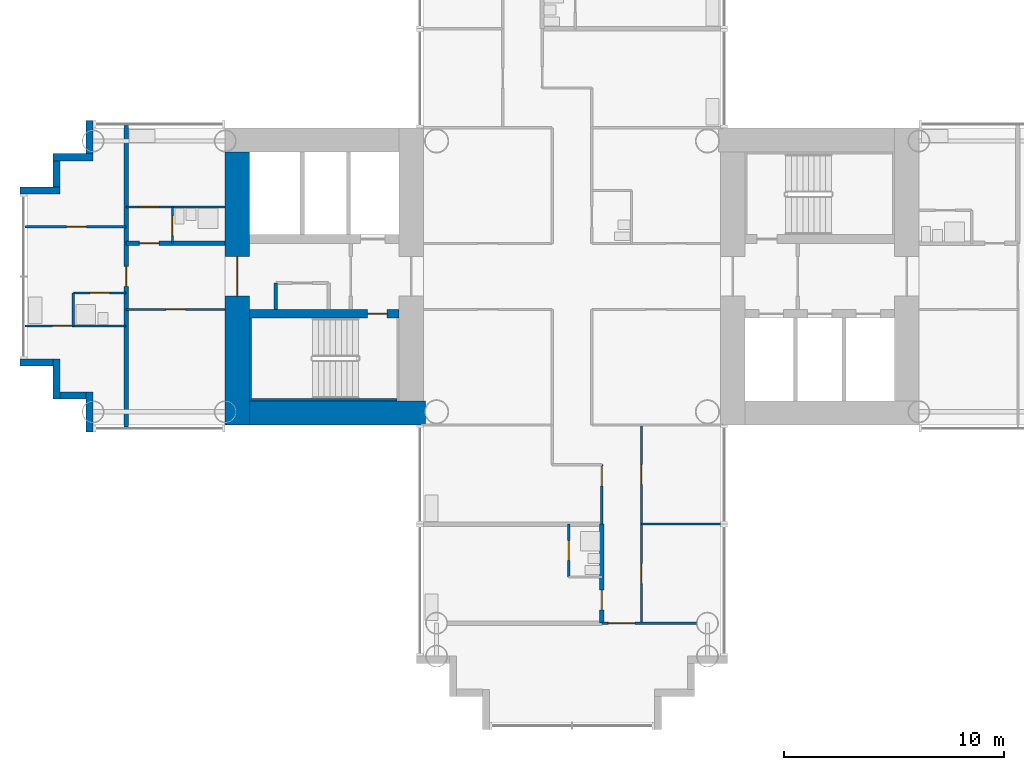
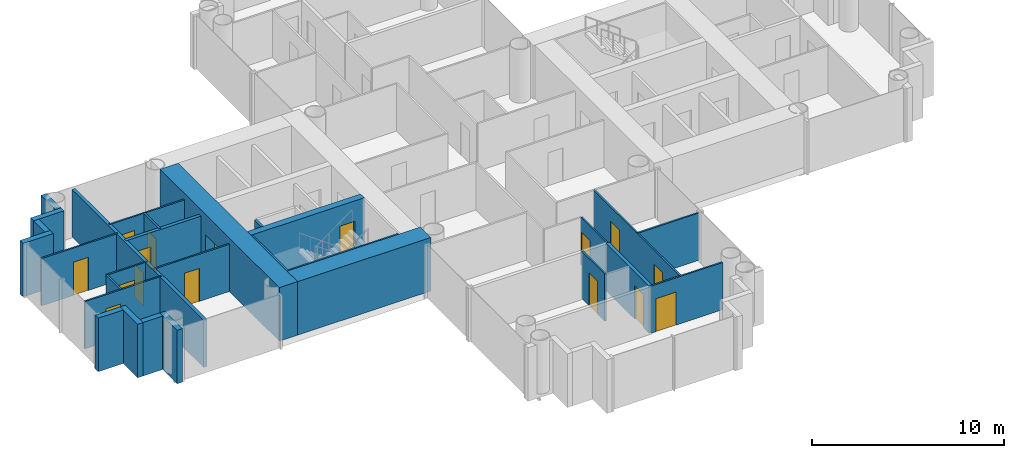
# One storey, part 9 of 21: 29 walls, 16 doors, 16 openings.
"""IFC4 building model written with IfcOpenShell, lengths in metres."""

from ifc_helpers import new_model, si_unit, direction, frame, frame_2d, origin, place, context, subcontext, project, spatial, rectangle, extrude, material, layer, layer_set, type_object, element, fill, save


model = new_model("IFC4")

# Units and contexts
model_context = context("Model", 3, precision=1e-05, world=origin(), true_north=direction((0.0, 1.0)))
body_context = subcontext(model_context, "Body", "Model", "MODEL_VIEW")
ifc_project = project(units=[si_unit("LENGTHUNIT", "METRE"), si_unit("AREAUNIT", "SQUARE_METRE"), si_unit("VOLUMEUNIT", "CUBIC_METRE"), si_unit("PLANEANGLEUNIT", "RADIAN"), si_unit("MASSUNIT", "GRAM", prefix="KILO")], contexts=[model_context])

# Site, building, storey
site_placement = place(None, origin())
site = spatial("IfcSite", under=ifc_project, at=site_placement, CompositionType="ELEMENT")
building_placement = place(site_placement, origin())
building = spatial("IfcBuilding", under=site, at=building_placement, Name="Ipe Terrace Towers", CompositionType="ELEMENT")
storey_placement = place(building_placement, frame((0.0, 0.0, 48.300048828125)))
storey = spatial("IfcBuildingStorey", under=building, at=storey_placement, Name="L12", CompositionType="ELEMENT", Elevation=48.300048828125)

# Walls
ifc_material_1 = material(Name="Concrete C40/50 with buff precast cladding", Category="concrete")
ifc_layer_1 = layer(ifc_material_1, 0.320068359375)
ifc_layer_set_1 = layer_set([ifc_layer_1], Name="BUFF CLADDING WALL 320")
wall_type_1 = type_object("IfcWallType", Name="BUFF CLADDING WALL 320", PredefinedType="STANDARD", material=ifc_layer_set_1)
wall_1_placement = place(storey_placement, frame((-61.070068359375, -3.909912109375, -0.300048828125), z_axis=(0.0, 0.0, 1.0), x_axis=(1.0, 0.0, 0.0)))
element("IfcWall", 1, at=wall_1_placement, inside=storey, type_object=wall_type_1, Name="T1-W-L12-00a wall", PredefinedType="STANDARD", context=body_context, shape_type="SweptSolid", body=[
    extrude(rectangle(XDim=1.5, YDim=0.320068359375, at=frame_2d((0.75, 0.0))), origin(), (0.0, 0.0, 1.0), 3.39990234375),
])
wall_2_placement = place(storey_placement, frame((-59.409912109375, -3.75, -0.300048828125), z_axis=(0.0, 0.0, 1.0), x_axis=(0.0, -1.0, 0.0)))
element("IfcWall", 2, at=wall_2_placement, inside=storey, type_object=wall_type_1, Name="T1-W-L12-01a wall", PredefinedType="STANDARD", context=body_context, shape_type="SweptSolid", body=[
    extrude(rectangle(XDim=1.820068359375, YDim=0.320068359375, at=frame_2d((0.91015625, 0.0))), origin(), (0.0, 0.0, 1.0), 3.39990234375),
])
wall_3_placement = place(storey_placement, frame((-59.25, -5.409912109375, -0.300048828125), z_axis=(0.0, 0.0, 1.0), x_axis=(1.0, 0.0, 0.0)))
element("IfcWall", 3, at=wall_3_placement, inside=storey, type_object=wall_type_1, Name="T1-W-L12-02a wall", PredefinedType="STANDARD", context=body_context, shape_type="SweptSolid", body=[
    extrude(rectangle(XDim=1.179931640625, YDim=0.320068359375, at=frame_2d((0.58984375, 0.0))), origin(), (0.0, 0.0, 1.0), 3.39990234375),
])
wall_4_placement = place(storey_placement, frame((-57.909912109375, -5.25, -0.300048828125), z_axis=(0.0, 0.0, 1.0), x_axis=(0.0, -1.0, 0.0)))
element("IfcWall", 4, at=wall_4_placement, inside=storey, type_object=wall_type_1, Name="T1-W-L12-03a wall", PredefinedType="STANDARD", context=body_context, shape_type="SweptSolid", body=[
    extrude(rectangle(XDim=1.820068359375, YDim=0.320068359375, at=frame_2d((0.91015625, 0.0))), origin(), (0.0, 0.0, 1.0), 3.39990234375),
])
wall_5_placement = place(storey_placement, frame((-57.909912109375, 7.070068359375, -0.300048828125), z_axis=(0.0, 0.0, 1.0), x_axis=(0.0, -1.0, 0.0)))
element("IfcWall", 5, at=wall_5_placement, inside=storey, type_object=wall_type_1, Name="T1-W-L12-47a wall", PredefinedType="STANDARD", context=body_context, shape_type="SweptSolid", body=[
    extrude(rectangle(XDim=1.5, YDim=0.320068359375, at=frame_2d((0.75, 0.0))), origin(), (0.0, 0.0, 1.0), 3.39990234375),
])
wall_6_placement = place(storey_placement, frame((-57.75, 5.409912109375, -0.300048828125), z_axis=(0.0, 0.0, 1.0), x_axis=(-1.0, 0.0, 0.0)))
element("IfcWall", 6, at=wall_6_placement, inside=storey, type_object=wall_type_1, Name="T1-W-L12-48a wall", PredefinedType="STANDARD", context=body_context, shape_type="SweptSolid", body=[
    extrude(rectangle(XDim=1.820068359375, YDim=0.320068359375, at=frame_2d((0.91015625, 0.0))), origin(), (0.0, 0.0, 1.0), 3.39990234375),
])
wall_7_placement = place(storey_placement, frame((-59.409912109375, 5.25, -0.300048828125), z_axis=(0.0, 0.0, 1.0), x_axis=(0.0, -1.0, 0.0)))
element("IfcWall", 7, at=wall_7_placement, inside=storey, type_object=wall_type_1, Name="T1-W-L12-49a wall", PredefinedType="STANDARD", context=body_context, shape_type="SweptSolid", body=[
    extrude(rectangle(XDim=1.179931640625, YDim=0.320068359375, at=frame_2d((0.58984375, 0.0))), origin(), (0.0, 0.0, 1.0), 3.39990234375),
])
wall_8_placement = place(storey_placement, frame((-59.25, 3.909912109375, -0.300048828125), z_axis=(0.0, 0.0, 1.0), x_axis=(-1.0, 0.0, 0.0)))
element("IfcWall", 8, at=wall_8_placement, inside=storey, type_object=wall_type_1, Name="T1-W-L12-50a wall", PredefinedType="STANDARD", context=body_context, shape_type="SweptSolid", body=[
    extrude(rectangle(XDim=1.820068359375, YDim=0.320068359375, at=frame_2d((0.91015625, 0.0))), origin(), (0.0, 0.0, 1.0), 3.39990234375),
])
ifc_material_2 = material(Name="Gypsum board partition", Category="plasterboard")
ifc_layer_2 = layer(ifc_material_2, 0.10009765625)
ifc_layer_set_2 = layer_set([ifc_layer_2], Name="Gypsum board partition 100 mm")
wall_type_2 = type_object("IfcWallType", Name="Gypsum board partition 100 mm", PredefinedType="PARTITIONING", material=ifc_layer_set_2)
wall_9_placement = place(storey_placement, frame((-58.64990234375, -2.25, 0.0), z_axis=(0.0, 0.0, 1.0), x_axis=(0.0, 1.0, 0.0)))
element("IfcWall", 9, at=wall_9_placement, inside=storey, type_object=wall_type_2, Name="Gypsum board partition T1 L12 W01", PredefinedType="PARTITIONING", context=body_context, shape_type="SweptSolid", body=[
    extrude(rectangle(XDim=1.5, YDim=0.10009765625, at=frame_2d((0.75, 0.0))), origin(), (0.0, 0.0, 1.0), 3.0),
])

# Wall, opening, door
wall_10_placement = place(storey_placement, frame((-54.14990234375, 1.5, 0.0), z_axis=(0.0, 0.0, 1.0), x_axis=(0.0, 1.0, 0.0)))
wall_10 = element("IfcWall", 10, at=wall_10_placement, inside=storey, type_object=wall_type_2, Name="Gypsum board partition T1 L12 W03", PredefinedType="PARTITIONING", context=body_context, shape_type="SweptSolid", body=[
    extrude(rectangle(XDim=1.64990234375, YDim=0.10009765625, at=frame_2d((0.824951171875, 0.0))), origin(), (0.0, 0.0, 1.0), 3.0),
])
opening_1_placement = place(wall_10_placement, frame((0.35009765625, 0.0, 0.0)))
opening_1 = element("IfcOpeningElement", 11, at=opening_1_placement, cuts=wall_10, Name="Opening T1-Z1C-25", PredefinedType="OPENING", context=body_context, shape_type="SweptSolid", body=[
    extrude(rectangle(XDim=0.89990234375, YDim=2.10009765625, at=frame_2d((0.449951171875, 1.050048828125))), frame((0.0, 0.06005859375, 0.0), z_axis=(0.0, -1.0, 0.0), x_axis=(1.0, 0.0, 0.0)), (0.0, 0.0, 1.0), 0.1201171875),
])
ifc_material_3 = material(Name="Timber door leaf", Category="wood")
door_type_1 = type_object("IfcDoorType", Name="Bathroom door 900 x 2100", OperationType="NOTDEFINED", PredefinedType="DOOR", material=ifc_material_3)
door_1_placement = place(opening_1_placement, origin())
door_1 = element("IfcDoor", 12, at=door_1_placement, inside=storey, type_object=door_type_1, Name="Bathroom door T1-Z1C-25", OperationType="SINGLE_SWING_LEFT", OverallHeight=2.10009765625, OverallWidth=0.89990234375, PredefinedType="DOOR", context=body_context, shape_type="SweptSolid", body=[
    extrude(rectangle(XDim=0.89990234375, YDim=2.10009765625, at=frame_2d((0.449951171875, 1.050048828125))), frame((0.0, 0.02490234375, 0.0), z_axis=(0.0, -1.0, 0.0), x_axis=(1.0, 0.0, 0.0)), (0.0, 0.0, 1.0), 0.050048828125),
])
fill(opening_1, door_1)

wall_11_placement = place(storey_placement, frame((-36.14990234375, -13.64990234375, 0.0), z_axis=(0.0, 0.0, 1.0), x_axis=(0.0, 1.0, 0.0)))
wall_11 = element("IfcWall", 13, at=wall_11_placement, inside=storey, type_object=wall_type_2, Name="Gypsum board partition T1 L12 W09", PredefinedType="PARTITIONING", context=body_context, shape_type="SweptSolid", body=[
    extrude(rectangle(XDim=2.39990234375, YDim=0.10009765625, at=frame_2d((1.199951171875, 0.0))), origin(), (0.0, 0.0, 1.0), 3.0),
])
opening_2_placement = place(wall_11_placement, frame((0.75, 0.0, 0.0)))
opening_2 = element("IfcOpeningElement", 14, at=opening_2_placement, cuts=wall_11, Name="Opening T1-Z1C-16", PredefinedType="OPENING", context=body_context, shape_type="SweptSolid", body=[
    extrude(rectangle(XDim=0.89990234375, YDim=2.10009765625, at=frame_2d((0.449951171875, 1.050048828125))), frame((0.0, 0.06005859375, 0.0), z_axis=(0.0, -1.0, 0.0), x_axis=(1.0, 0.0, 0.0)), (0.0, 0.0, 1.0), 0.1201171875),
])
door_2_placement = place(opening_2_placement, origin())
door_2 = element("IfcDoor", 15, at=door_2_placement, inside=storey, type_object=door_type_1, Name="Bathroom door T1-Z1C-16", OperationType="SINGLE_SWING_RIGHT", OverallHeight=2.10009765625, OverallWidth=0.89990234375, PredefinedType="DOOR", context=body_context, shape_type="SweptSolid", body=[
    extrude(rectangle(XDim=0.89990234375, YDim=2.10009765625, at=frame_2d((0.449951171875, 1.050048828125))), frame((0.0, 0.02490234375, 0.0), z_axis=(0.0, -1.0, 0.0), x_axis=(1.0, 0.0, 0.0)), (0.0, 0.0, 1.0), 0.050048828125),
])
fill(opening_2, door_2)

wall_12_placement = place(storey_placement, frame((-34.64990234375, -11.25, 0.0), z_axis=(0.0, 0.0, 1.0), x_axis=(0.0, 1.0, 0.0)))
wall_12 = element("IfcWall", 16, at=wall_12_placement, inside=storey, type_object=wall_type_2, Name="Gypsum board partition T1 L12 W13", PredefinedType="PARTITIONING", context=body_context, shape_type="SweptSolid", body=[
    extrude(rectangle(XDim=2.699951171875, YDim=0.10009765625, at=frame_2d((1.35009765625, 0.0))), origin(), (0.0, 0.0, 1.0), 3.0),
])
opening_3_placement = place(wall_12_placement, frame((1.72998046875, 0.0, 0.0)))
opening_3 = element("IfcOpeningElement", 17, at=opening_3_placement, cuts=wall_12, Name="Opening T1-Z1C-14", PredefinedType="OPENING", context=body_context, shape_type="SweptSolid", body=[
    extrude(rectangle(XDim=0.89990234375, YDim=2.10009765625, at=frame_2d((0.449951171875, 1.050048828125))), frame((0.0, 0.06005859375, 0.0), z_axis=(0.0, -1.0, 0.0), x_axis=(1.0, 0.0, 0.0)), (0.0, 0.0, 1.0), 0.1201171875),
])
ifc_material_4 = material(Name="Timber door leaf", Category="wood")
door_type_2 = type_object("IfcDoorType", Name="Lounge door 900 x 2100", OperationType="NOTDEFINED", PredefinedType="DOOR", material=ifc_material_4)
door_3_placement = place(opening_3_placement, origin())
door_3 = element("IfcDoor", 18, at=door_3_placement, inside=storey, type_object=door_type_2, Name="Lounge door T1-Z1C-14", OperationType="SINGLE_SWING_LEFT", OverallHeight=2.10009765625, OverallWidth=0.89990234375, PredefinedType="DOOR", context=body_context, shape_type="SweptSolid", body=[
    extrude(rectangle(XDim=0.89990234375, YDim=2.10009765625, at=frame_2d((0.449951171875, 1.050048828125))), frame((0.0, 0.02490234375, 0.0), z_axis=(0.0, -1.0, 0.0), x_axis=(1.0, 0.0, 0.0)), (0.0, 0.0, 1.0), 0.050048828125),
])
fill(opening_3, door_3)

# Wall, openings, doors
wall_13_placement = place(storey_placement, frame((-32.85009765625, -15.75, 0.0), z_axis=(0.0, 0.0, 1.0), x_axis=(0.0, 1.0, 0.0)))
wall_13 = element("IfcWall", 19, at=wall_13_placement, inside=storey, type_object=wall_type_2, Name="Gypsum board partition T1 L12 W16", PredefinedType="PARTITIONING", context=body_context, shape_type="SweptSolid", body=[
    extrude(rectangle(XDim=9.0, YDim=0.10009765625, at=frame_2d((4.5, 0.0))), origin(), (0.0, 0.0, 1.0), 3.0),
])
opening_4_placement = place(wall_13_placement, frame((6.300048828125, 0.0, 0.0)))
opening_4 = element("IfcOpeningElement", 20, at=opening_4_placement, cuts=wall_13, Name="Opening T1-Z1C-12", PredefinedType="OPENING", context=body_context, shape_type="SweptSolid", body=[
    extrude(rectangle(XDim=0.89990234375, YDim=2.10009765625, at=frame_2d((0.449951171875, 1.050048828125))), frame((0.0, 0.06005859375, 0.0), z_axis=(0.0, -1.0, 0.0), x_axis=(1.0, 0.0, 0.0)), (0.0, 0.0, 1.0), 0.1201171875),
])
opening_5_placement = place(wall_13_placement, frame((1.800048828125, 0.0, 0.0)))
opening_5 = element("IfcOpeningElement", 21, at=opening_5_placement, cuts=wall_13, Name="Opening T1-Z1C-13", PredefinedType="OPENING", context=body_context, shape_type="SweptSolid", body=[
    extrude(rectangle(XDim=0.89990234375, YDim=2.10009765625, at=frame_2d((0.449951171875, 1.050048828125))), frame((0.0, 0.06005859375, 0.0), z_axis=(0.0, -1.0, 0.0), x_axis=(1.0, 0.0, 0.0)), (0.0, 0.0, 1.0), 0.1201171875),
])
door_4_placement = place(opening_4_placement, origin())
door_4 = element("IfcDoor", 22, at=door_4_placement, inside=storey, type_object=door_type_2, Name="Lounge door T1-Z1C-12", OperationType="SINGLE_SWING_RIGHT", OverallHeight=2.10009765625, OverallWidth=0.89990234375, PredefinedType="DOOR", context=body_context, shape_type="SweptSolid", body=[
    extrude(rectangle(XDim=0.89990234375, YDim=2.10009765625, at=frame_2d((0.449951171875, 1.050048828125))), frame((0.0, 0.02490234375, 0.0), z_axis=(0.0, -1.0, 0.0), x_axis=(1.0, 0.0, 0.0)), (0.0, 0.0, 1.0), 0.050048828125),
])
fill(opening_4, door_4)
door_5_placement = place(opening_5_placement, origin())
door_5 = element("IfcDoor", 23, at=door_5_placement, inside=storey, type_object=door_type_2, Name="Lounge door T1-Z1C-13", OperationType="SINGLE_SWING_LEFT", OverallHeight=2.10009765625, OverallWidth=0.89990234375, PredefinedType="DOOR", context=body_context, shape_type="SweptSolid", body=[
    extrude(rectangle(XDim=0.89990234375, YDim=2.10009765625, at=frame_2d((0.449951171875, 1.050048828125))), frame((0.0, 0.02490234375, 0.0), z_axis=(0.0, -1.0, 0.0), x_axis=(1.0, 0.0, 0.0)), (0.0, 0.0, 1.0), 0.050048828125),
])
fill(opening_5, door_5)

# Wall, opening, door
wall_14_placement = place(storey_placement, frame((-34.64990234375, -15.75, 0.0), z_axis=(0.0, 0.0, 1.0), x_axis=(1.0, 0.0, 0.0)))
wall_14 = element("IfcWall", 24, at=wall_14_placement, inside=storey, type_object=wall_type_2, Name="Gypsum board partition T1 L12 W20", PredefinedType="PARTITIONING", context=body_context, shape_type="SweptSolid", body=[
    extrude(rectangle(XDim=4.2998046875, YDim=0.10009765625, at=frame_2d((2.14990234375, 0.0))), origin(), (0.0, 0.0, 1.0), 3.0),
])
opening_6_placement = place(wall_14_placement, frame((0.300048828125, 0.0, 0.0)))
opening_6 = element("IfcOpeningElement", 25, at=opening_6_placement, cuts=wall_14, Name="Opening T1-Z1C-17", PredefinedType="OPENING", context=body_context, shape_type="SweptSolid", body=[
    extrude(rectangle(XDim=1.199951171875, YDim=2.10009765625, at=frame_2d((0.60009765625, 1.050048828125))), frame((0.0, 0.06005859375, 0.0), z_axis=(0.0, -1.0, 0.0), x_axis=(1.0, 0.0, 0.0)), (0.0, 0.0, 1.0), 0.1201171875),
])
ifc_material_5 = material(Name="Timber door leaf", Category="wood")
door_type_3 = type_object("IfcDoorType", Name="Lounge door 1200 x 2100", OperationType="NOTDEFINED", PredefinedType="DOOR", material=ifc_material_5)
door_6_placement = place(opening_6_placement, origin())
door_6 = element("IfcDoor", 26, at=door_6_placement, inside=storey, type_object=door_type_3, Name="Lounge door T1-Z1C-17", OperationType="SINGLE_SWING_LEFT", OverallHeight=2.10009765625, OverallWidth=1.199951171875, PredefinedType="DOOR", context=body_context, shape_type="SweptSolid", body=[
    extrude(rectangle(XDim=1.199951171875, YDim=2.10009765625, at=frame_2d((0.60009765625, 1.050048828125))), frame((0.0, 0.02490234375, 0.0), z_axis=(0.0, -1.0, 0.0), x_axis=(1.0, 0.0, 0.0)), (0.0, 0.0, 1.0), 0.050048828125),
])
fill(opening_6, door_6)

# Wall
wall_15_placement = place(storey_placement, frame((-32.85009765625, -11.25, 0.0), z_axis=(0.0, 0.0, 1.0), x_axis=(1.0, 0.0, 0.0)))
element("IfcWall", 27, at=wall_15_placement, inside=storey, type_object=wall_type_2, Name="Gypsum board partition T1 L12 W23", PredefinedType="PARTITIONING", context=body_context, shape_type="SweptSolid", body=[
    extrude(rectangle(XDim=3.7001953125, YDim=0.10009765625, at=frame_2d((1.85009765625, 0.0))), origin(), (0.0, 0.0, 1.0), 3.0),
])

# Wall, opening, door
wall_16_placement = place(storey_placement, frame((-60.85009765625, -2.25, 0.0), z_axis=(0.0, 0.0, 1.0), x_axis=(1.0, 0.0, 0.0)))
wall_16 = element("IfcWall", 28, at=wall_16_placement, inside=storey, type_object=wall_type_2, Name="Gypsum board partition T1 L12 W28", PredefinedType="PARTITIONING", context=body_context, shape_type="SweptSolid", body=[
    extrude(rectangle(XDim=4.60009765625, YDim=0.10009765625, at=frame_2d((2.300048828125, 0.0))), origin(), (0.0, 0.0, 1.0), 3.0),
])
opening_7_placement = place(wall_16_placement, frame((1.25, 0.0, 0.0)))
opening_7 = element("IfcOpeningElement", 29, at=opening_7_placement, cuts=wall_16, Name="Opening T1-Z1C-28", PredefinedType="OPENING", context=body_context, shape_type="SweptSolid", body=[
    extrude(rectangle(XDim=0.89990234375, YDim=2.10009765625, at=frame_2d((0.449951171875, 1.050048828125))), frame((0.0, 0.06005859375, 0.0), z_axis=(0.0, -1.0, 0.0), x_axis=(1.0, 0.0, 0.0)), (0.0, 0.0, 1.0), 0.1201171875),
])
door_7_placement = place(opening_7_placement, origin())
door_7 = element("IfcDoor", 30, at=door_7_placement, inside=storey, type_object=door_type_2, Name="Lounge door T1-Z1C-28", OperationType="SINGLE_SWING_LEFT", OverallHeight=2.10009765625, OverallWidth=0.89990234375, PredefinedType="DOOR", context=body_context, shape_type="SweptSolid", body=[
    extrude(rectangle(XDim=0.89990234375, YDim=2.10009765625, at=frame_2d((0.449951171875, 1.050048828125))), frame((0.0, 0.02490234375, 0.0), z_axis=(0.0, -1.0, 0.0), x_axis=(1.0, 0.0, 0.0)), (0.0, 0.0, 1.0), 0.050048828125),
])
fill(opening_7, door_7)

wall_17_placement = place(storey_placement, frame((-56.25, -1.5, 0.0), z_axis=(0.0, 0.0, 1.0), x_axis=(1.0, 0.0, 0.0)))
wall_17 = element("IfcWall", 31, at=wall_17_placement, inside=storey, type_object=wall_type_2, Name="Gypsum board partition T1 L12 W29", PredefinedType="PARTITIONING", context=body_context, shape_type="SweptSolid", body=[
    extrude(rectangle(XDim=4.5, YDim=0.10009765625, at=frame_2d((2.25, 0.0))), origin(), (0.0, 0.0, 1.0), 3.0),
])
opening_8_placement = place(wall_17_placement, frame((1.800048828125, 0.0, 0.0)))
opening_8 = element("IfcOpeningElement", 32, at=opening_8_placement, cuts=wall_17, Name="Opening T1-Z1C-22", PredefinedType="OPENING", context=body_context, shape_type="SweptSolid", body=[
    extrude(rectangle(XDim=0.89990234375, YDim=2.10009765625, at=frame_2d((0.449951171875, 1.050048828125))), frame((0.0, 0.06005859375, 0.0), z_axis=(0.0, -1.0, 0.0), x_axis=(1.0, 0.0, 0.0)), (0.0, 0.0, 1.0), 0.1201171875),
])
door_8_placement = place(opening_8_placement, origin())
door_8 = element("IfcDoor", 33, at=door_8_placement, inside=storey, type_object=door_type_2, Name="Lounge door T1-Z1C-22", OperationType="SINGLE_SWING_RIGHT", OverallHeight=2.10009765625, OverallWidth=0.89990234375, PredefinedType="DOOR", context=body_context, shape_type="SweptSolid", body=[
    extrude(rectangle(XDim=0.89990234375, YDim=2.10009765625, at=frame_2d((0.449951171875, 1.050048828125))), frame((0.0, 0.02490234375, 0.0), z_axis=(0.0, -1.0, 0.0), x_axis=(1.0, 0.0, 0.0)), (0.0, 0.0, 1.0), 0.050048828125),
])
fill(opening_8, door_8)

wall_18_placement = place(storey_placement, frame((-58.64990234375, -0.75, 0.0), z_axis=(0.0, 0.0, 1.0), x_axis=(1.0, 0.0, 0.0)))
wall_18 = element("IfcWall", 34, at=wall_18_placement, inside=storey, type_object=wall_type_2, Name="Gypsum board partition T1 L12 W33", PredefinedType="PARTITIONING", context=body_context, shape_type="SweptSolid", body=[
    extrude(rectangle(XDim=2.39990234375, YDim=0.10009765625, at=frame_2d((1.199951171875, 0.0))), origin(), (0.0, 0.0, 1.0), 3.0),
])
opening_9_placement = place(wall_18_placement, frame((0.75, 0.0, 0.0)))
opening_9 = element("IfcOpeningElement", 35, at=opening_9_placement, cuts=wall_18, Name="Opening T1-Z1C-26", PredefinedType="OPENING", context=body_context, shape_type="SweptSolid", body=[
    extrude(rectangle(XDim=0.89990234375, YDim=2.10009765625, at=frame_2d((0.449951171875, 1.050048828125))), frame((0.0, 0.06005859375, 0.0), z_axis=(0.0, -1.0, 0.0), x_axis=(1.0, 0.0, 0.0)), (0.0, 0.0, 1.0), 0.1201171875),
])
door_9_placement = place(opening_9_placement, origin())
door_9 = element("IfcDoor", 36, at=door_9_placement, inside=storey, type_object=door_type_1, Name="Bathroom door T1-Z1C-26", OperationType="SINGLE_SWING_RIGHT", OverallHeight=2.10009765625, OverallWidth=0.89990234375, PredefinedType="DOOR", context=body_context, shape_type="SweptSolid", body=[
    extrude(rectangle(XDim=0.89990234375, YDim=2.10009765625, at=frame_2d((0.449951171875, 1.050048828125))), frame((0.0, 0.02490234375, 0.0), z_axis=(0.0, -1.0, 0.0), x_axis=(1.0, 0.0, 0.0)), (0.0, 0.0, 1.0), 0.050048828125),
])
fill(opening_9, door_9)

wall_19_placement = place(storey_placement, frame((-60.85009765625, 2.25, 0.0), z_axis=(0.0, 0.0, 1.0), x_axis=(1.0, 0.0, 0.0)))
wall_19 = element("IfcWall", 37, at=wall_19_placement, inside=storey, type_object=wall_type_2, Name="Gypsum board partition T1 L12 W38", PredefinedType="PARTITIONING", context=body_context, shape_type="SweptSolid", body=[
    extrude(rectangle(XDim=4.60009765625, YDim=0.10009765625, at=frame_2d((2.300048828125, 0.0))), origin(), (0.0, 0.0, 1.0), 3.0),
])
opening_10_placement = place(wall_19_placement, frame((1.89990234375, 0.0, 0.0)))
opening_10 = element("IfcOpeningElement", 38, at=opening_10_placement, cuts=wall_19, Name="Opening T1-Z1C-29", PredefinedType="OPENING", context=body_context, shape_type="SweptSolid", body=[
    extrude(rectangle(XDim=0.89990234375, YDim=2.10009765625, at=frame_2d((0.449951171875, 1.050048828125))), frame((0.0, 0.06005859375, 0.0), z_axis=(0.0, -1.0, 0.0), x_axis=(1.0, 0.0, 0.0)), (0.0, 0.0, 1.0), 0.1201171875),
])
door_10_placement = place(opening_10_placement, origin())
door_10 = element("IfcDoor", 39, at=door_10_placement, inside=storey, type_object=door_type_2, Name="Lounge door T1-Z1C-29", OperationType="SINGLE_SWING_LEFT", OverallHeight=2.10009765625, OverallWidth=0.89990234375, PredefinedType="DOOR", context=body_context, shape_type="SweptSolid", body=[
    extrude(rectangle(XDim=0.89990234375, YDim=2.10009765625, at=frame_2d((0.449951171875, 1.050048828125))), frame((0.0, 0.02490234375, 0.0), z_axis=(0.0, -1.0, 0.0), x_axis=(1.0, 0.0, 0.0)), (0.0, 0.0, 1.0), 0.050048828125),
])
fill(opening_10, door_10)

wall_20_placement = place(storey_placement, frame((-56.25, 3.14990234375, 0.0), z_axis=(0.0, 0.0, 1.0), x_axis=(1.0, 0.0, 0.0)))
wall_20 = element("IfcWall", 40, at=wall_20_placement, inside=storey, type_object=wall_type_2, Name="Gypsum board partition T1 L12 W40", PredefinedType="PARTITIONING", context=body_context, shape_type="SweptSolid", body=[
    extrude(rectangle(XDim=4.5, YDim=0.10009765625, at=frame_2d((2.25, 0.0))), origin(), (0.0, 0.0, 1.0), 3.0),
])
opening_11_placement = place(wall_20_placement, frame((0.60009765625, 0.0, 0.0)))
opening_11 = element("IfcOpeningElement", 41, at=opening_11_placement, cuts=wall_20, Name="Opening T1-Z1C-24", PredefinedType="OPENING", context=body_context, shape_type="SweptSolid", body=[
    extrude(rectangle(XDim=0.89990234375, YDim=2.10009765625, at=frame_2d((0.449951171875, 1.050048828125))), frame((0.0, 0.06005859375, 0.0), z_axis=(0.0, -1.0, 0.0), x_axis=(1.0, 0.0, 0.0)), (0.0, 0.0, 1.0), 0.1201171875),
])
ifc_material_6 = material(Name="Timber door leaf", Category="wood")
door_type_4 = type_object("IfcDoorType", Name="Bedroom door 900 x 2100", OperationType="NOTDEFINED", PredefinedType="DOOR", material=ifc_material_6)
door_11_placement = place(opening_11_placement, origin())
door_11 = element("IfcDoor", 42, at=door_11_placement, inside=storey, type_object=door_type_4, Name="Bedroom door T1-Z1C-24", OperationType="SINGLE_SWING_RIGHT", OverallHeight=2.10009765625, OverallWidth=0.89990234375, PredefinedType="DOOR", context=body_context, shape_type="SweptSolid", body=[
    extrude(rectangle(XDim=0.89990234375, YDim=2.10009765625, at=frame_2d((0.449951171875, 1.050048828125))), frame((0.0, 0.02490234375, 0.0), z_axis=(0.0, -1.0, 0.0), x_axis=(1.0, 0.0, 0.0)), (0.0, 0.0, 1.0), 0.050048828125),
])
fill(opening_11, door_11)

# Wall
ifc_material_7 = material(Name="Gypsum board partition", Category="plasterboard")
ifc_layer_3 = layer(ifc_material_7, 0.14990234375)
ifc_layer_set_3 = layer_set([ifc_layer_3], Name="Gypsum board partition 150 mm")
wall_type_3 = type_object("IfcWallType", Name="Gypsum board partition 150 mm", PredefinedType="PARTITIONING", material=ifc_layer_set_3)
wall_21_placement = place(storey_placement, frame((-49.449951171875, -0.300048828125, 0.0), z_axis=(0.0, 0.0, 1.0), x_axis=(0.0, -1.0, 0.0)))
element("IfcWall", 43, at=wall_21_placement, inside=storey, type_object=wall_type_3, Name="Gypsum board partition T1 L12 t1c2-cup-n-b", PredefinedType="PARTITIONING", context=body_context, shape_type="SweptSolid", body=[
    extrude(rectangle(XDim=1.199951171875, YDim=0.14990234375, at=frame_2d((0.60009765625, 0.0))), origin(), (0.0, 0.0, 1.0), 3.0),
])

# Wall, opening, door
ifc_material_8 = material(Name="Gypsum board party wall", Category="plasterboard")
ifc_layer_4 = layer(ifc_material_8, 0.199951171875)
ifc_layer_set_4 = layer_set([ifc_layer_4], Name="Gypsum board party wall 200 mm")
wall_type_4 = type_object("IfcWallType", Name="Gypsum board party wall 200 mm", PredefinedType="SOLIDWALL", material=ifc_layer_set_4)
wall_22_placement = place(storey_placement, frame((-56.25, -6.85009765625, 0.0), z_axis=(0.0, 0.0, 1.0), x_axis=(0.0, 1.0, 0.0)))
wall_22 = element("IfcWall", 44, at=wall_22_placement, inside=storey, type_object=wall_type_4, Name="Gypsum board party wall T1 L12 W02", PredefinedType="SOLIDWALL", context=body_context, shape_type="SweptSolid", body=[
    extrude(rectangle(XDim=13.7001953125, YDim=0.199951171875, at=frame_2d((6.85009765625, 0.0))), origin(), (0.0, 0.0, 1.0), 3.0),
])
opening_12_placement = place(wall_22_placement, frame((6.39990234375, 0.0, 0.0)))
opening_12 = element("IfcOpeningElement", 45, at=opening_12_placement, cuts=wall_22, Name="Opening T1-Z1C-27", PredefinedType="OPENING", context=body_context, shape_type="SweptSolid", body=[
    extrude(rectangle(XDim=0.89990234375, YDim=2.10009765625, at=frame_2d((0.449951171875, 1.050048828125))), frame((0.0, 0.10986328125, 0.0), z_axis=(0.0, -1.0, 0.0), x_axis=(1.0, 0.0, 0.0)), (0.0, 0.0, 1.0), 0.219970703125),
])
ifc_material_9 = material(Name="Fire-rated timber door leaf", Category="wood")
door_type_5 = type_object("IfcDoorType", Name="Flat entrance door 900 x 2100 FD30S", OperationType="NOTDEFINED", PredefinedType="DOOR", material=ifc_material_9)
door_12_placement = place(opening_12_placement, origin())
door_12 = element("IfcDoor", 46, at=door_12_placement, inside=storey, type_object=door_type_5, Name="Flat entrance door T1-Z1C-27", OperationType="SINGLE_SWING_LEFT", OverallHeight=2.10009765625, OverallWidth=0.89990234375, PredefinedType="DOOR", context=body_context, shape_type="SweptSolid", body=[
    extrude(rectangle(XDim=0.89990234375, YDim=2.10009765625, at=frame_2d((0.449951171875, 1.050048828125))), frame((0.0, 0.02490234375, 0.0), z_axis=(0.0, -1.0, 0.0), x_axis=(1.0, 0.0, 0.0)), (0.0, 0.0, 1.0), 0.050048828125),
])
fill(opening_12, door_12)

wall_23_placement = place(storey_placement, frame((-34.64990234375, -15.75, 0.0), z_axis=(0.0, 0.0, 1.0), x_axis=(0.0, 1.0, 0.0)))
wall_23 = element("IfcWall", 47, at=wall_23_placement, inside=storey, type_object=wall_type_4, Name="Gypsum board party wall T1 L12 W14", PredefinedType="SOLIDWALL", context=body_context, shape_type="SweptSolid", body=[
    extrude(rectangle(XDim=4.5, YDim=0.199951171875, at=frame_2d((2.25, 0.0))), origin(), (0.0, 0.0, 1.0), 3.0),
])
opening_13_placement = place(wall_23_placement, frame((0.60009765625, 0.0, 0.0)))
opening_13 = element("IfcOpeningElement", 48, at=opening_13_placement, cuts=wall_23, Name="Opening T1-Z1C-15", PredefinedType="OPENING", context=body_context, shape_type="SweptSolid", body=[
    extrude(rectangle(XDim=0.89990234375, YDim=2.10009765625, at=frame_2d((0.449951171875, 1.050048828125))), frame((0.0, 0.10986328125, 0.0), z_axis=(0.0, -1.0, 0.0), x_axis=(1.0, 0.0, 0.0)), (0.0, 0.0, 1.0), 0.219970703125),
])
door_13_placement = place(opening_13_placement, origin())
door_13 = element("IfcDoor", 49, at=door_13_placement, inside=storey, type_object=door_type_5, Name="Flat entrance door T1-Z1C-15", OperationType="SINGLE_SWING_RIGHT", OverallHeight=2.10009765625, OverallWidth=0.89990234375, PredefinedType="DOOR", context=body_context, shape_type="SweptSolid", body=[
    extrude(rectangle(XDim=0.89990234375, YDim=2.10009765625, at=frame_2d((0.449951171875, 1.050048828125))), frame((0.0, 0.02490234375, 0.0), z_axis=(0.0, -1.0, 0.0), x_axis=(1.0, 0.0, 0.0)), (0.0, 0.0, 1.0), 0.050048828125),
])
fill(opening_13, door_13)

wall_24_placement = place(storey_placement, frame((-56.25, 1.5, 0.0), z_axis=(0.0, 0.0, 1.0), x_axis=(1.0, 0.0, 0.0)))
wall_24 = element("IfcWall", 50, at=wall_24_placement, inside=storey, type_object=wall_type_4, Name="Gypsum board party wall T1 L12 W36", PredefinedType="SOLIDWALL", context=body_context, shape_type="SweptSolid", body=[
    extrude(rectangle(XDim=4.5, YDim=0.199951171875, at=frame_2d((2.25, 0.0))), origin(), (0.0, 0.0, 1.0), 3.0),
])
opening_14_placement = place(wall_24_placement, frame((0.60009765625, 0.0, 0.0)))
opening_14 = element("IfcOpeningElement", 51, at=opening_14_placement, cuts=wall_24, Name="Opening T1-Z1C-23", PredefinedType="OPENING", context=body_context, shape_type="SweptSolid", body=[
    extrude(rectangle(XDim=0.89990234375, YDim=2.10009765625, at=frame_2d((0.449951171875, 1.050048828125))), frame((0.0, 0.10986328125, 0.0), z_axis=(0.0, -1.0, 0.0), x_axis=(1.0, 0.0, 0.0)), (0.0, 0.0, 1.0), 0.219970703125),
])
door_14_placement = place(opening_14_placement, origin())
door_14 = element("IfcDoor", 52, at=door_14_placement, inside=storey, type_object=door_type_5, Name="Flat entrance door T1-Z1C-23", OperationType="SINGLE_SWING_RIGHT", OverallHeight=2.10009765625, OverallWidth=0.89990234375, PredefinedType="DOOR", context=body_context, shape_type="SweptSolid", body=[
    extrude(rectangle(XDim=0.89990234375, YDim=2.10009765625, at=frame_2d((0.449951171875, 1.050048828125))), frame((0.0, 0.02490234375, 0.0), z_axis=(0.0, -1.0, 0.0), x_axis=(1.0, 0.0, 0.0)), (0.0, 0.0, 1.0), 0.050048828125),
])
fill(opening_14, door_14)

# Walls
ifc_material_10 = material(Name="Concrete C60/75", Category="concrete")
ifc_layer_5 = layer(ifc_material_10, 0.10009765625)
ifc_layer_set_5 = layer_set([ifc_layer_5], Name="RW100 CORE INFILL WALL 100 C60-75")
wall_type_5 = type_object("IfcWallType", Name="RW100 CORE INFILL WALL 100 C60-75", PredefinedType="SHEAR", material=ifc_layer_set_5)
wall_25_placement = place(storey_placement, frame((-50.60009765625, -1.89990234375, 0.0), z_axis=(0.0, 0.0, 1.0), x_axis=(0.0, -1.0, 0.0)))
element("IfcWall", 53, at=wall_25_placement, inside=storey, type_object=wall_type_5, Name="Core infill wall T1-C2-far", PredefinedType="SHEAR", context=body_context, shape_type="SweptSolid", body=[
    extrude(rectangle(XDim=3.75, YDim=0.10009765625, at=frame_2d((1.875, 0.0))), origin(), (0.0, 0.0, 1.0), 3.39990234375),
])
wall_26_placement = place(storey_placement, frame((-43.949951171875, -5.60009765625, 0.0), z_axis=(0.0, 0.0, 1.0), x_axis=(-1.0, 0.0, 0.0)))
element("IfcWall", 54, at=wall_26_placement, inside=storey, type_object=wall_type_5, Name="Core infill wall T1-C2-back", PredefinedType="SHEAR", context=body_context, shape_type="SweptSolid", body=[
    extrude(rectangle(XDim=6.60009765625, YDim=0.10009765625, at=frame_2d((3.300048828125, 0.0))), origin(), (0.0, 0.0, 1.0), 3.39990234375),
])
ifc_material_11 = material(Name="Concrete C60/75", Category="concrete")
ifc_layer_6 = layer(ifc_material_11, 1.10009765625)
ifc_layer_set_6 = layer_set([ifc_layer_6], Name="RW1100 CORE WALL 1100 C60-75")
wall_type_6 = type_object("IfcWallType", Name="RW1100 CORE WALL 1100 C60-75", PredefinedType="SHEAR", material=ifc_layer_set_6)
wall_27_placement = place(storey_placement, frame((-50.64990234375, -6.199951171875, 0.0), z_axis=(0.0, 0.0, 1.0), x_axis=(1.0, 0.0, 0.0)))
element("IfcWall", 55, at=wall_27_placement, inside=storey, type_object=wall_type_6, Name="Core wall T1-C2-Z1-W01", PredefinedType="SHEAR", context=body_context, shape_type="SweptSolid", body=[
    extrude(rectangle(XDim=7.997802734375, YDim=1.10009765625, at=frame_2d((3.9990234375, 0.0))), origin(), (0.0, 0.0, 1.0), 3.39990234375),
])

# Wall, opening, door
wall_28_placement = place(storey_placement, frame((-51.199951171875, 5.64990234375, 0.0), z_axis=(0.0, 0.0, 1.0), x_axis=(0.0, -1.0, 0.0)))
wall_28 = element("IfcWall", 56, at=wall_28_placement, inside=storey, type_object=wall_type_6, Name="Core wall T1-C2-Z1-W04", PredefinedType="SHEAR", context=body_context, shape_type="SweptSolid", body=[
    extrude(rectangle(XDim=12.39990234375, YDim=1.10009765625, at=frame_2d((6.199951171875, 0.0))), origin(), (0.0, 0.0, 1.0), 3.39990234375),
])
opening_15_placement = place(wall_28_placement, frame((4.75, 0.0, 0.0)))
opening_15 = element("IfcOpeningElement", 57, at=opening_15_placement, cuts=wall_28, Name="Opening T1C2-FD", PredefinedType="OPENING", context=body_context, shape_type="SweptSolid", body=[
    extrude(rectangle(XDim=1.800048828125, YDim=2.10009765625, at=frame_2d((0.89990234375, 1.050048828125))), frame((0.0, 0.56005859375, 0.0), z_axis=(0.0, -1.0, 0.0), x_axis=(1.0, 0.0, 0.0)), (0.0, 0.0, 1.0), 1.1201171875),
])
ifc_material_12 = material(Name="Fire-rated timber door leaf", Category="wood")
door_type_6 = type_object("IfcDoorType", Name="Fire door 1800 x 2100 FD30S", OperationType="NOTDEFINED", PredefinedType="DOOR", material=ifc_material_12)
door_15_placement = place(opening_15_placement, origin())
door_15 = element("IfcDoor", 58, at=door_15_placement, inside=storey, type_object=door_type_6, Name="Fire door T1C2-FD", OperationType="SINGLE_SWING_LEFT", OverallHeight=2.10009765625, OverallWidth=1.800048828125, PredefinedType="DOOR", context=body_context, shape_type="SweptSolid", body=[
    extrude(rectangle(XDim=1.800048828125, YDim=2.10009765625, at=frame_2d((0.89990234375, 1.050048828125))), frame((0.0, 0.02490234375, 0.0), z_axis=(0.0, -1.0, 0.0), x_axis=(1.0, 0.0, 0.0)), (0.0, 0.0, 1.0), 0.050048828125),
])
fill(opening_15, door_15)

ifc_material_13 = material(Name="Concrete C60/75", Category="concrete")
ifc_layer_7 = layer(ifc_material_13, 0.39990234375)
ifc_layer_set_7 = layer_set([ifc_layer_7], Name="RW400 CORE SPINE WALL 400 C60-75")
wall_type_7 = type_object("IfcWallType", Name="RW400 CORE SPINE WALL 400 C60-75", PredefinedType="SHEAR", material=ifc_layer_set_7)
wall_29_placement = place(storey_placement, frame((-50.64990234375, -1.699951171875, 0.0), z_axis=(0.0, 0.0, 1.0), x_axis=(1.0, 0.0, 0.0)))
wall_29 = element("IfcWall", 59, at=wall_29_placement, inside=storey, type_object=wall_type_7, Name="Core spine wall T1-C2-Z1-SW1", PredefinedType="SHEAR", context=body_context, shape_type="SweptSolid", body=[
    extrude(rectangle(XDim=6.7998046875, YDim=0.39990234375, at=frame_2d((3.39990234375, 0.0))), origin(), (0.0, 0.0, 1.0), 3.39990234375),
])
opening_16_placement = place(wall_29_placement, frame((5.35009765625, 0.0, 0.0)))
opening_16 = element("IfcOpeningElement", 60, at=opening_16_placement, cuts=wall_29, Name="Opening T1C2-SD", PredefinedType="OPENING", context=body_context, shape_type="SweptSolid", body=[
    extrude(rectangle(XDim=0.89990234375, YDim=2.10009765625, at=frame_2d((0.449951171875, 1.050048828125))), frame((0.0, 0.2099609375, 0.0), z_axis=(0.0, -1.0, 0.0), x_axis=(1.0, 0.0, 0.0)), (0.0, 0.0, 1.0), 0.419921875),
])
ifc_material_14 = material(Name="Fire-rated timber door leaf", Category="wood")
door_type_7 = type_object("IfcDoorType", Name="Stair door 900 x 2100 FD60", OperationType="NOTDEFINED", PredefinedType="DOOR", material=ifc_material_14)
door_16_placement = place(opening_16_placement, origin())
door_16 = element("IfcDoor", 61, at=door_16_placement, inside=storey, type_object=door_type_7, Name="Stair door T1C2-SD", OperationType="SINGLE_SWING_RIGHT", OverallHeight=2.10009765625, OverallWidth=0.89990234375, PredefinedType="DOOR", context=body_context, shape_type="SweptSolid", body=[
    extrude(rectangle(XDim=0.89990234375, YDim=2.10009765625, at=frame_2d((0.449951171875, 1.050048828125))), frame((0.0, 0.02490234375, 0.0), z_axis=(0.0, -1.0, 0.0), x_axis=(1.0, 0.0, 0.0)), (0.0, 0.0, 1.0), 0.050048828125),
])
fill(opening_16, door_16)

save(model, "model.ifc")
